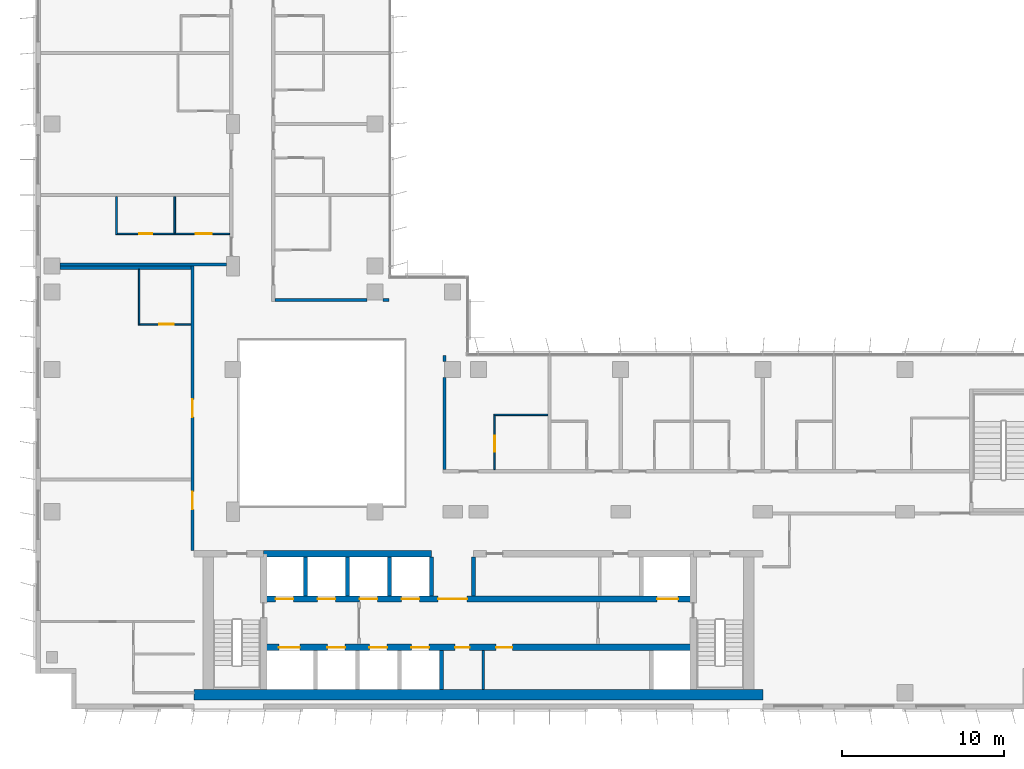
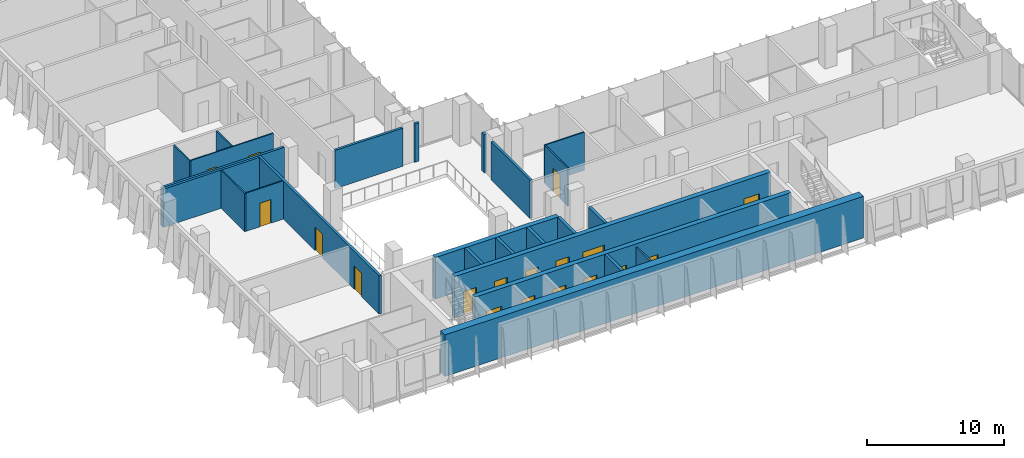
# One storey, part 13 of 21: 25 walls, 18 doors, 18 openings.
"""IFC4 building model written with IfcOpenShell, lengths in metres."""

from ifc_helpers import new_model, si_unit, direction, frame, frame_2d, origin, place, context, subcontext, project, spatial, rectangle, extrude, material, layer, layer_set, type_object, element, fill, save


model = new_model("IFC4")

# Units and contexts
model_context = context("Model", 3, precision=1e-05, world=origin(), true_north=direction((0.0, 1.0)))
body_context = subcontext(model_context, "Body", "Model", "MODEL_VIEW")
ifc_project = project(units=[si_unit("LENGTHUNIT", "METRE"), si_unit("AREAUNIT", "SQUARE_METRE"), si_unit("VOLUMEUNIT", "CUBIC_METRE"), si_unit("PLANEANGLEUNIT", "RADIAN"), si_unit("MASSUNIT", "GRAM", prefix="KILO")], contexts=[model_context])

# Site, building, storey
site_placement = place(None, origin())
site = spatial("IfcSite", under=ifc_project, at=site_placement, CompositionType="ELEMENT")
building_placement = place(site_placement, origin())
building = spatial("IfcBuilding", under=site, at=building_placement, Name="Kemantara Hotel Tower", CompositionType="ELEMENT")
storey_placement = place(building_placement, frame((0.0, 0.0, 182.699951171875)))
storey = spatial("IfcBuildingStorey", under=building, at=storey_placement, Name="L45", CompositionType="ELEMENT", Elevation=182.699951171875)

# Walls
ifc_material_1 = material(Name="Concrete fc 60 MPa", Category="concrete")
ifc_layer_1 = layer(ifc_material_1, 0.25)
ifc_layer_set_1 = layer_set([ifc_layer_1], Name="Concrete fc 60 MPa")
wall_type_1 = type_object("IfcWallType", Name="CORE WALL 250 FC60", PredefinedType="SHEAR", material=ifc_layer_set_1)
wall_1_placement = place(storey_placement, frame((25.10009765625, 1.199951171875, 0.0), z_axis=(0.0, 0.0, 1.0), x_axis=(0.0, 1.0, 0.0)))
element("IfcWall", 1, at=wall_1_placement, inside=storey, type_object=wall_type_1, Name="CORE WALL CW-DS25.1", PredefinedType="SHEAR", context=body_context, shape_type="SweptSolid", body=[
    extrude(rectangle(XDim=2.400146484375, YDim=0.25, at=frame_2d((1.2001953125, 0.0))), origin(), (0.0, 0.0, 1.0), 3.699951171875),
])
for number, where, z_axis, x_axis, name in (
    (2, (16.699951171875, 7.0, 0.0), (0.0, 0.0, 1.0), (0.0, 1.0, 0.0), "CORE WALL CW-DN16.7"),
    (3, (19.300048828125, 7.0, 0.0), (0.0, 0.0, 1.0), (0.0, 1.0, 0.0), "CORE WALL CW-DN19.3"),
    (4, (21.89990234375, 7.0, 0.0), (0.0, 0.0, 1.0), (0.0, 1.0, 0.0), "CORE WALL CW-DN21.9"),
    (5, (24.5, 7.0, 0.0), (0.0, 0.0, 1.0), (0.0, 1.0, 0.0), "CORE WALL CW-DN24.5"),
    (6, (27.10009765625, 7.0, 0.0), (0.0, 0.0, 1.0), (0.0, 1.0, 0.0), "CORE WALL CW-DN27.1"),
):
    element("IfcWall", number, at=place(storey_placement, frame(where, z_axis=z_axis, x_axis=x_axis)), inside=storey, type_object=wall_type_1, Name=name, PredefinedType="SHEAR", context=body_context, shape_type="SweptSolid", body=[
        extrude(rectangle(XDim=2.39990234375, YDim=0.25, at=frame_2d((1.199951171875, 0.0))), origin(), (0.0, 0.0, 1.0), 3.699951171875),
    ])
ifc_layer_2 = layer(ifc_material_1, 0.39990234375)
ifc_layer_set_2 = layer_set([ifc_layer_2], Name="Concrete fc 60 MPa")
wall_type_2 = type_object("IfcWallType", Name="CORE WALL 400 FC60", PredefinedType="SHEAR", material=ifc_layer_set_2)
wall_2_placement = place(storey_placement, frame((14.10009765625, 9.60009765625, 0.0), z_axis=(0.0, 0.0, 1.0), x_axis=(1.0, 0.0, 0.0)))
element("IfcWall", 7, at=wall_2_placement, inside=storey, type_object=wall_type_2, Name="CORE WALL CW-NN1", PredefinedType="SHEAR", context=body_context, shape_type="SweptSolid", body=[
    extrude(rectangle(XDim=10.39990234375, YDim=0.39990234375, at=frame_2d((5.199951171875, 0.0))), origin(), (0.0, 0.0, 1.0), 3.699951171875),
])

# Wall, openings, doors
wall_3_placement = place(storey_placement, frame((14.10009765625, 3.800048828125, 0.0), z_axis=(0.0, 0.0, 1.0), x_axis=(1.0, 0.0, 0.0)))
wall_3 = element("IfcWall", 8, at=wall_3_placement, inside=storey, type_object=wall_type_2, Name="CORE WALL CW-L1", PredefinedType="SHEAR", context=body_context, shape_type="SweptSolid", body=[
    extrude(rectangle(XDim=26.599853515625, YDim=0.39990234375, at=frame_2d((13.2998046875, 0.0))), origin(), (0.0, 0.0, 1.0), 3.699951171875),
])
opening_1_placement = place(wall_3_placement, frame((0.949951171875, 0.0, 0.0)))
opening_1 = element("IfcOpeningElement", 9, at=opening_1_placement, cuts=wall_3, Name="Opening C27-LD-FF1", PredefinedType="OPENING", context=body_context, shape_type="SweptSolid", body=[
    extrude(rectangle(XDim=1.300048828125, YDim=2.10009765625, at=frame_2d((0.64990234375, 1.050048828125))), frame((0.0, 0.2099609375, 0.0), z_axis=(0.0, -1.0, 0.0), x_axis=(1.0, 0.0, 0.0)), (0.0, 0.0, 1.0), 0.419921875),
])
opening_2_placement = place(wall_3_placement, frame((3.949951171875, 0.0, 0.0)))
opening_2 = element("IfcOpeningElement", 10, at=opening_2_placement, cuts=wall_3, Name="Opening C27-LD-SV1", PredefinedType="OPENING", context=body_context, shape_type="SweptSolid", body=[
    extrude(rectangle(XDim=1.10009765625, YDim=2.10009765625, at=frame_2d((0.550048828125, 1.050048828125))), frame((0.0, 0.2099609375, 0.0), z_axis=(0.0, -1.0, 0.0), x_axis=(1.0, 0.0, 0.0)), (0.0, 0.0, 1.0), 0.419921875),
])
opening_3_placement = place(wall_3_placement, frame((6.550048828125, 0.0, 0.0)))
opening_3 = element("IfcOpeningElement", 11, at=opening_3_placement, cuts=wall_3, Name="Opening C27-LD-SV2", PredefinedType="OPENING", context=body_context, shape_type="SweptSolid", body=[
    extrude(rectangle(XDim=1.10009765625, YDim=2.10009765625, at=frame_2d((0.550048828125, 1.050048828125))), frame((0.0, 0.2099609375, 0.0), z_axis=(0.0, -1.0, 0.0), x_axis=(1.0, 0.0, 0.0)), (0.0, 0.0, 1.0), 0.419921875),
])
opening_4_placement = place(wall_3_placement, frame((9.14990234375, 0.0, 0.0)))
opening_4 = element("IfcOpeningElement", 12, at=opening_4_placement, cuts=wall_3, Name="Opening C27-LD-SV3", PredefinedType="OPENING", context=body_context, shape_type="SweptSolid", body=[
    extrude(rectangle(XDim=1.10009765625, YDim=2.10009765625, at=frame_2d((0.550048828125, 1.050048828125))), frame((0.0, 0.2099609375, 0.0), z_axis=(0.0, -1.0, 0.0), x_axis=(1.0, 0.0, 0.0)), (0.0, 0.0, 1.0), 0.419921875),
])
opening_5_placement = place(wall_3_placement, frame((11.85009765625, 0.0, 0.0)))
opening_5 = element("IfcOpeningElement", 13, at=opening_5_placement, cuts=wall_3, Name="Opening C27-R-SM1", PredefinedType="OPENING", context=body_context, shape_type="SweptSolid", body=[
    extrude(rectangle(XDim=0.89990234375, YDim=2.10009765625, at=frame_2d((0.449951171875, 1.050048828125))), frame((0.0, 0.2099609375, 0.0), z_axis=(0.0, -1.0, 0.0), x_axis=(1.0, 0.0, 0.0)), (0.0, 0.0, 1.0), 0.419921875),
])
opening_6_placement = place(wall_3_placement, frame((14.39990234375, 0.0, 0.0)))
opening_6 = element("IfcOpeningElement", 14, at=opening_6_placement, cuts=wall_3, Name="Opening C27-R-SM2", PredefinedType="OPENING", context=body_context, shape_type="SweptSolid", body=[
    extrude(rectangle(XDim=1.0, YDim=2.10009765625, at=frame_2d((0.5, 1.050048828125))), frame((0.0, 0.2099609375, 0.0), z_axis=(0.0, -1.0, 0.0), x_axis=(1.0, 0.0, 0.0)), (0.0, 0.0, 1.0), 0.419921875),
])
ifc_material_2 = material(Name="Steel fire door", Category="steel")
door_type_1 = type_object("IfcDoorType", Name="Fire door FD30S 1000 x 2100", OperationType="NOTDEFINED", PredefinedType="DOOR", material=ifc_material_2)
door_1_placement = place(opening_6_placement, frame((1.0, 0.0, 0.0), z_axis=(0.0, 0.0, 1.0), x_axis=(-1.0, 0.0, 0.0)))
door_1 = element("IfcDoor", 15, at=door_1_placement, inside=storey, type_object=door_type_1, Name="Guest Pantry door", OperationType="SINGLE_SWING_LEFT", OverallHeight=2.10009765625, OverallWidth=1.0, PredefinedType="DOOR", context=body_context, shape_type="SweptSolid", body=[
    extrude(rectangle(XDim=1.0, YDim=2.10009765625, at=frame_2d((0.5, 1.050048828125))), frame((0.0, 0.02490234375, 0.0), z_axis=(0.0, -1.0, 0.0), x_axis=(1.0, 0.0, 0.0)), (0.0, 0.0, 1.0), 0.050048828125),
])
fill(opening_6, door_1)
door_type_2 = type_object("IfcDoorType", Name="Fire door FD60 900 x 2100", OperationType="NOTDEFINED", PredefinedType="DOOR", material=ifc_material_2)
door_2_placement = place(opening_5_placement, frame((0.89990234375, 0.0, 0.0), z_axis=(0.0, 0.0, 1.0), x_axis=(-1.0, 0.0, 0.0)))
door_2 = element("IfcDoor", 16, at=door_2_placement, inside=storey, type_object=door_type_2, Name="Electrical Riser Room door", OperationType="SINGLE_SWING_RIGHT", OverallHeight=2.10009765625, OverallWidth=0.89990234375, PredefinedType="DOOR", context=body_context, shape_type="SweptSolid", body=[
    extrude(rectangle(XDim=0.89990234375, YDim=2.10009765625, at=frame_2d((0.449951171875, 1.050048828125))), frame((0.0, 0.02490234375, 0.0), z_axis=(0.0, -1.0, 0.0), x_axis=(1.0, 0.0, 0.0)), (0.0, 0.0, 1.0), 0.050048828125),
])
fill(opening_5, door_2)
ifc_material_3 = material(Name="Stainless steel lift door", Category="steel")
door_type_3 = type_object("IfcDoorType", Name="Lift landing door 1100 x 2100 FD60", OperationType="DOUBLE_DOOR_SLIDING", PredefinedType="DOOR", material=ifc_material_3)
door_3_placement = place(opening_2_placement, origin())
door_3 = element("IfcDoor", 17, at=door_3_placement, inside=storey, type_object=door_type_3, Name="Lift SV1 landing door", OperationType="DOUBLE_DOOR_SLIDING", OverallHeight=2.10009765625, OverallWidth=1.10009765625, PredefinedType="DOOR", context=body_context, shape_type="SweptSolid", body=[
    extrude(rectangle(XDim=1.10009765625, YDim=2.10009765625, at=frame_2d((0.550048828125, 1.050048828125))), frame((0.0, 0.02490234375, 0.0), z_axis=(0.0, -1.0, 0.0), x_axis=(1.0, 0.0, 0.0)), (0.0, 0.0, 1.0), 0.050048828125),
])
fill(opening_2, door_3)
door_4_placement = place(opening_3_placement, origin())
door_4 = element("IfcDoor", 18, at=door_4_placement, inside=storey, type_object=door_type_3, Name="Lift SV2 landing door", OperationType="DOUBLE_DOOR_SLIDING", OverallHeight=2.10009765625, OverallWidth=1.10009765625, PredefinedType="DOOR", context=body_context, shape_type="SweptSolid", body=[
    extrude(rectangle(XDim=1.10009765625, YDim=2.10009765625, at=frame_2d((0.550048828125, 1.050048828125))), frame((0.0, 0.02490234375, 0.0), z_axis=(0.0, -1.0, 0.0), x_axis=(1.0, 0.0, 0.0)), (0.0, 0.0, 1.0), 0.050048828125),
])
fill(opening_3, door_4)
door_5_placement = place(opening_4_placement, origin())
door_5 = element("IfcDoor", 19, at=door_5_placement, inside=storey, type_object=door_type_3, Name="Lift SV3 landing door", OperationType="DOUBLE_DOOR_SLIDING", OverallHeight=2.10009765625, OverallWidth=1.10009765625, PredefinedType="DOOR", context=body_context, shape_type="SweptSolid", body=[
    extrude(rectangle(XDim=1.10009765625, YDim=2.10009765625, at=frame_2d((0.550048828125, 1.050048828125))), frame((0.0, 0.02490234375, 0.0), z_axis=(0.0, -1.0, 0.0), x_axis=(1.0, 0.0, 0.0)), (0.0, 0.0, 1.0), 0.050048828125),
])
fill(opening_4, door_5)
door_type_4 = type_object("IfcDoorType", Name="Lift landing door 1300 x 2100 FD90", OperationType="DOUBLE_DOOR_SLIDING", PredefinedType="DOOR", material=ifc_material_3)
door_6_placement = place(opening_1_placement, origin())
door_6 = element("IfcDoor", 20, at=door_6_placement, inside=storey, type_object=door_type_4, Name="Lift FF1 landing door", OperationType="DOUBLE_DOOR_SLIDING", OverallHeight=2.10009765625, OverallWidth=1.300048828125, PredefinedType="DOOR", context=body_context, shape_type="SweptSolid", body=[
    extrude(rectangle(XDim=1.300048828125, YDim=2.10009765625, at=frame_2d((0.64990234375, 1.050048828125))), frame((0.0, 0.02490234375, 0.0), z_axis=(0.0, -1.0, 0.0), x_axis=(1.0, 0.0, 0.0)), (0.0, 0.0, 1.0), 0.050048828125),
])
fill(opening_1, door_6)

wall_4_placement = place(storey_placement, frame((14.10009765625, 6.800048828125, 0.0), z_axis=(0.0, 0.0, 1.0), x_axis=(1.0, 0.0, 0.0)))
wall_4 = element("IfcWall", 21, at=wall_4_placement, inside=storey, type_object=wall_type_2, Name="CORE WALL CW-L2", PredefinedType="SHEAR", context=body_context, shape_type="SweptSolid", body=[
    extrude(rectangle(XDim=26.599853515625, YDim=0.39990234375, at=frame_2d((13.2998046875, 0.0))), origin(), (0.0, 0.0, 1.0), 3.699951171875),
])
opening_7_placement = place(wall_4_placement, frame((10.800048828125, 0.0, 0.0)))
opening_7 = element("IfcOpeningElement", 22, at=opening_7_placement, cuts=wall_4, Name="Opening C27-VL", PredefinedType="OPENING", context=body_context, shape_type="SweptSolid", body=[
    extrude(rectangle(XDim=1.800048828125, YDim=2.10009765625, at=frame_2d((0.89990234375, 1.050048828125))), frame((0.0, 0.2099609375, 0.0), z_axis=(0.0, -1.0, 0.0), x_axis=(1.0, 0.0, 0.0)), (0.0, 0.0, 1.0), 0.419921875),
])
opening_8_placement = place(wall_4_placement, frame((0.75, 0.0, 0.0)))
opening_8 = element("IfcOpeningElement", 23, at=opening_8_placement, cuts=wall_4, Name="Opening C27-LD-MR1", PredefinedType="OPENING", context=body_context, shape_type="SweptSolid", body=[
    extrude(rectangle(XDim=1.10009765625, YDim=2.10009765625, at=frame_2d((0.550048828125, 1.050048828125))), frame((0.0, 0.2099609375, 0.0), z_axis=(0.0, -1.0, 0.0), x_axis=(1.0, 0.0, 0.0)), (0.0, 0.0, 1.0), 0.419921875),
])
opening_9_placement = place(wall_4_placement, frame((3.35009765625, 0.0, 0.0)))
opening_9 = element("IfcOpeningElement", 24, at=opening_9_placement, cuts=wall_4, Name="Opening C27-LD-MR2", PredefinedType="OPENING", context=body_context, shape_type="SweptSolid", body=[
    extrude(rectangle(XDim=1.10009765625, YDim=2.10009765625, at=frame_2d((0.550048828125, 1.050048828125))), frame((0.0, 0.2099609375, 0.0), z_axis=(0.0, -1.0, 0.0), x_axis=(1.0, 0.0, 0.0)), (0.0, 0.0, 1.0), 0.419921875),
])
opening_10_placement = place(wall_4_placement, frame((5.949951171875, 0.0, 0.0)))
opening_10 = element("IfcOpeningElement", 25, at=opening_10_placement, cuts=wall_4, Name="Opening C27-LD-MR3", PredefinedType="OPENING", context=body_context, shape_type="SweptSolid", body=[
    extrude(rectangle(XDim=1.10009765625, YDim=2.10009765625, at=frame_2d((0.550048828125, 1.050048828125))), frame((0.0, 0.2099609375, 0.0), z_axis=(0.0, -1.0, 0.0), x_axis=(1.0, 0.0, 0.0)), (0.0, 0.0, 1.0), 0.419921875),
])
opening_11_placement = place(wall_4_placement, frame((8.550048828125, 0.0, 0.0)))
opening_11 = element("IfcOpeningElement", 26, at=opening_11_placement, cuts=wall_4, Name="Opening C27-LD-MR4", PredefinedType="OPENING", context=body_context, shape_type="SweptSolid", body=[
    extrude(rectangle(XDim=1.10009765625, YDim=2.10009765625, at=frame_2d((0.550048828125, 1.050048828125))), frame((0.0, 0.2099609375, 0.0), z_axis=(0.0, -1.0, 0.0), x_axis=(1.0, 0.0, 0.0)), (0.0, 0.0, 1.0), 0.419921875),
])
opening_12_placement = place(wall_4_placement, frame((24.35009765625, 0.0, 0.0)))
opening_12 = element("IfcOpeningElement", 27, at=opening_12_placement, cuts=wall_4, Name="Opening C27-LD-FF2", PredefinedType="OPENING", context=body_context, shape_type="SweptSolid", body=[
    extrude(rectangle(XDim=1.300048828125, YDim=2.10009765625, at=frame_2d((0.64990234375, 1.050048828125))), frame((0.0, 0.2099609375, 0.0), z_axis=(0.0, -1.0, 0.0), x_axis=(1.0, 0.0, 0.0)), (0.0, 0.0, 1.0), 0.419921875),
])
door_type_5 = type_object("IfcDoorType", Name="Fire door pair FD60 1800 x 2100", OperationType="DOUBLE_DOOR_SINGLE_SWING", PredefinedType="DOOR", material=ifc_material_2)
door_7_placement = place(opening_7_placement, frame((1.800048828125, 0.0, 0.0), z_axis=(0.0, 0.0, 1.0), x_axis=(-1.0, 0.0, 0.0)))
door_7 = element("IfcDoor", 28, at=door_7_placement, inside=storey, type_object=door_type_5, Name="Lift lobby entry door", OperationType="DOUBLE_DOOR_SINGLE_SWING", OverallHeight=2.10009765625, OverallWidth=1.800048828125, PredefinedType="DOOR", context=body_context, shape_type="SweptSolid", body=[
    extrude(rectangle(XDim=1.800048828125, YDim=2.10009765625, at=frame_2d((0.89990234375, 1.050048828125))), frame((0.0, 0.02490234375, 0.0), z_axis=(0.0, -1.0, 0.0), x_axis=(1.0, 0.0, 0.0)), (0.0, 0.0, 1.0), 0.050048828125),
])
fill(opening_7, door_7)
door_8_placement = place(opening_8_placement, origin())
door_8 = element("IfcDoor", 29, at=door_8_placement, inside=storey, type_object=door_type_3, Name="Lift MR1 landing door", OperationType="DOUBLE_DOOR_SLIDING", OverallHeight=2.10009765625, OverallWidth=1.10009765625, PredefinedType="DOOR", context=body_context, shape_type="SweptSolid", body=[
    extrude(rectangle(XDim=1.10009765625, YDim=2.10009765625, at=frame_2d((0.550048828125, 1.050048828125))), frame((0.0, 0.02490234375, 0.0), z_axis=(0.0, -1.0, 0.0), x_axis=(1.0, 0.0, 0.0)), (0.0, 0.0, 1.0), 0.050048828125),
])
fill(opening_8, door_8)
door_9_placement = place(opening_9_placement, origin())
door_9 = element("IfcDoor", 30, at=door_9_placement, inside=storey, type_object=door_type_3, Name="Lift MR2 landing door", OperationType="DOUBLE_DOOR_SLIDING", OverallHeight=2.10009765625, OverallWidth=1.10009765625, PredefinedType="DOOR", context=body_context, shape_type="SweptSolid", body=[
    extrude(rectangle(XDim=1.10009765625, YDim=2.10009765625, at=frame_2d((0.550048828125, 1.050048828125))), frame((0.0, 0.02490234375, 0.0), z_axis=(0.0, -1.0, 0.0), x_axis=(1.0, 0.0, 0.0)), (0.0, 0.0, 1.0), 0.050048828125),
])
fill(opening_9, door_9)
door_10_placement = place(opening_10_placement, origin())
door_10 = element("IfcDoor", 31, at=door_10_placement, inside=storey, type_object=door_type_3, Name="Lift MR3 landing door", OperationType="DOUBLE_DOOR_SLIDING", OverallHeight=2.10009765625, OverallWidth=1.10009765625, PredefinedType="DOOR", context=body_context, shape_type="SweptSolid", body=[
    extrude(rectangle(XDim=1.10009765625, YDim=2.10009765625, at=frame_2d((0.550048828125, 1.050048828125))), frame((0.0, 0.02490234375, 0.0), z_axis=(0.0, -1.0, 0.0), x_axis=(1.0, 0.0, 0.0)), (0.0, 0.0, 1.0), 0.050048828125),
])
fill(opening_10, door_10)
door_11_placement = place(opening_11_placement, origin())
door_11 = element("IfcDoor", 32, at=door_11_placement, inside=storey, type_object=door_type_3, Name="Lift MR4 landing door", OperationType="DOUBLE_DOOR_SLIDING", OverallHeight=2.10009765625, OverallWidth=1.10009765625, PredefinedType="DOOR", context=body_context, shape_type="SweptSolid", body=[
    extrude(rectangle(XDim=1.10009765625, YDim=2.10009765625, at=frame_2d((0.550048828125, 1.050048828125))), frame((0.0, 0.02490234375, 0.0), z_axis=(0.0, -1.0, 0.0), x_axis=(1.0, 0.0, 0.0)), (0.0, 0.0, 1.0), 0.050048828125),
])
fill(opening_11, door_11)
door_12_placement = place(opening_12_placement, origin())
door_12 = element("IfcDoor", 33, at=door_12_placement, inside=storey, type_object=door_type_4, Name="Lift FF2 landing door", OperationType="DOUBLE_DOOR_SLIDING", OverallHeight=2.10009765625, OverallWidth=1.300048828125, PredefinedType="DOOR", context=body_context, shape_type="SweptSolid", body=[
    extrude(rectangle(XDim=1.300048828125, YDim=2.10009765625, at=frame_2d((0.64990234375, 1.050048828125))), frame((0.0, 0.02490234375, 0.0), z_axis=(0.0, -1.0, 0.0), x_axis=(1.0, 0.0, 0.0)), (0.0, 0.0, 1.0), 0.050048828125),
])
fill(opening_12, door_12)

# Wall
ifc_layer_3 = layer(ifc_material_1, 0.64990234375)
ifc_layer_set_3 = layer_set([ifc_layer_3], Name="Concrete fc 60 MPa")
wall_type_3 = type_object("IfcWallType", Name="CORE WALL 650 FC60", PredefinedType="SHEAR", material=ifc_layer_set_3)
wall_5_placement = place(storey_placement, frame((9.800048828125, 0.875, 0.0), z_axis=(0.0, 0.0, 1.0), x_axis=(1.0, 0.0, 0.0)))
element("IfcWall", 34, at=wall_5_placement, inside=storey, type_object=wall_type_3, Name="CORE WALL CW-S", PredefinedType="SHEAR", context=body_context, shape_type="SweptSolid", body=[
    extrude(rectangle(XDim=35.199951171875, YDim=0.64990234375, at=frame_2d((17.60009765625, 0.0))), origin(), (0.0, 0.0, 1.0), 3.699951171875),
])

# Wall, openings, doors
ifc_material_4 = material(Name="Gypsum board partition, steel studs and mineral wool, 200 mm", Category="steel")
ifc_layer_4 = layer(ifc_material_4, 0.199951171875)
ifc_layer_set_4 = layer_set([ifc_layer_4], Name="Gypsum board partition, steel studs and mineral wool, 200 mm")
wall_type_4 = type_object("IfcWallType", Name="CORRIDOR WALL 200", PredefinedType="PARTITIONING", material=ifc_layer_set_4)
wall_6_placement = place(storey_placement, frame((9.699951171875, 9.800048828125, 0.0), z_axis=(0.0, 0.0, 1.0), x_axis=(0.0, 1.0, 0.0)))
wall_6 = element("IfcWall", 35, at=wall_6_placement, inside=storey, type_object=wall_type_4, Name="CORRIDOR WALL 200 012", PredefinedType="PARTITIONING", context=body_context, shape_type="SweptSolid", body=[
    extrude(rectangle(XDim=17.599853515625, YDim=0.199951171875, at=frame_2d((8.7998046875, 0.0))), origin(), (0.0, 0.0, 1.0), 3.400146484375),
])
opening_13_placement = place(wall_6_placement, frame((2.550048828125, 0.0, 0.0)))
opening_13 = element("IfcOpeningElement", 36, at=opening_13_placement, cuts=wall_6, Name="Opening F21-015", PredefinedType="OPENING", context=body_context, shape_type="SweptSolid", body=[
    extrude(rectangle(XDim=1.10009765625, YDim=2.10009765625, at=frame_2d((0.550048828125, 1.050048828125))), frame((0.0, 0.10986328125, 0.0), z_axis=(0.0, -1.0, 0.0), x_axis=(1.0, 0.0, 0.0)), (0.0, 0.0, 1.0), 0.219970703125),
])
opening_14_placement = place(wall_6_placement, frame((8.25, 0.0, 0.0)))
opening_14 = element("IfcOpeningElement", 37, at=opening_14_placement, cuts=wall_6, Name="Opening F21-019", PredefinedType="OPENING", context=body_context, shape_type="SweptSolid", body=[
    extrude(rectangle(XDim=1.10009765625, YDim=2.10009765625, at=frame_2d((0.550048828125, 1.050048828125))), frame((0.0, 0.10986328125, 0.0), z_axis=(0.0, -1.0, 0.0), x_axis=(1.0, 0.0, 0.0)), (0.0, 0.0, 1.0), 0.219970703125),
])
ifc_material_5 = material(Name="Hardwood veneer door leaf with steel frame", Category="steel")
door_type_6 = type_object("IfcDoorType", Name="SUITE ENTRANCE DOOR 1100 X 2100 FD30S", OperationType="NOTDEFINED", PredefinedType="DOOR", material=ifc_material_5)
door_13_placement = place(opening_13_placement, origin())
door_13 = element("IfcDoor", 38, at=door_13_placement, inside=storey, type_object=door_type_6, Name="SUITE ENTRANCE DOOR F21-015", OperationType="SINGLE_SWING_RIGHT", OverallHeight=2.10009765625, OverallWidth=1.10009765625, PredefinedType="DOOR", context=body_context, shape_type="SweptSolid", body=[
    extrude(rectangle(XDim=1.10009765625, YDim=2.10009765625, at=frame_2d((0.550048828125, 1.050048828125))), frame((0.0, 0.02490234375, 0.0), z_axis=(0.0, -1.0, 0.0), x_axis=(1.0, 0.0, 0.0)), (0.0, 0.0, 1.0), 0.050048828125),
])
fill(opening_13, door_13)
door_14_placement = place(opening_14_placement, origin())
door_14 = element("IfcDoor", 39, at=door_14_placement, inside=storey, type_object=door_type_6, Name="SUITE ENTRANCE DOOR F21-019", OperationType="SINGLE_SWING_LEFT", OverallHeight=2.10009765625, OverallWidth=1.10009765625, PredefinedType="DOOR", context=body_context, shape_type="SweptSolid", body=[
    extrude(rectangle(XDim=1.10009765625, YDim=2.10009765625, at=frame_2d((0.550048828125, 1.050048828125))), frame((0.0, 0.02490234375, 0.0), z_axis=(0.0, -1.0, 0.0), x_axis=(1.0, 0.0, 0.0)), (0.0, 0.0, 1.0), 0.050048828125),
])
fill(opening_14, door_14)

# Walls
ifc_layer_5 = layer(ifc_material_4, 0.199951171875)
ifc_layer_set_5 = layer_set([ifc_layer_5], Name="Gypsum board partition, steel studs and mineral wool, 200 mm")
wall_type_5 = type_object("IfcWallType", Name="GUEST ROOM PARTY WALL 200", PredefinedType="PARTITIONING", material=ifc_layer_set_5)
wall_7_placement = place(storey_placement, frame((25.300048828125, 14.800048828125, 0.0), z_axis=(0.0, 0.0, 1.0), x_axis=(0.0, 1.0, 0.0)))
element("IfcWall", 40, at=wall_7_placement, inside=storey, type_object=wall_type_5, Name="GUEST ROOM PARTY WALL 200 005", PredefinedType="PARTITIONING", context=body_context, shape_type="SweptSolid", body=[
    extrude(rectangle(XDim=5.699951171875, YDim=0.199951171875, at=frame_2d((2.85009765625, 0.0))), origin(), (0.0, 0.0, 1.0), 3.400146484375),
])
wall_8_placement = place(storey_placement, frame((25.300048828125, 21.5, 0.0), z_axis=(0.0, 0.0, 1.0), x_axis=(0.0, 1.0, 0.0)))
element("IfcWall", 41, at=wall_8_placement, inside=storey, type_object=wall_type_5, Name="GUEST ROOM PARTY WALL 200 006", PredefinedType="PARTITIONING", context=body_context, shape_type="SweptSolid", body=[
    extrude(rectangle(XDim=0.3701171875, YDim=0.199951171875, at=frame_2d((0.18505859375, 0.0))), origin(), (0.0, 0.0, 1.0), 3.400146484375),
])
wall_9_placement = place(storey_placement, frame((1.5, 27.300048828125, 0.0), z_axis=(0.0, 0.0, 1.0), x_axis=(1.0, 0.0, 0.0)))
element("IfcWall", 42, at=wall_9_placement, inside=storey, type_object=wall_type_5, Name="GUEST ROOM PARTY WALL 200 014", PredefinedType="PARTITIONING", context=body_context, shape_type="SweptSolid", body=[
    extrude(rectangle(XDim=8.10009765625, YDim=0.199951171875, at=frame_2d((4.050048828125, 0.0))), origin(), (0.0, 0.0, 1.0), 3.400146484375),
])
wall_10_placement = place(storey_placement, frame((1.5, 27.5, 0.0), z_axis=(0.0, 0.0, 1.0), x_axis=(1.0, 0.0, 0.0)))
element("IfcWall", 43, at=wall_10_placement, inside=storey, type_object=wall_type_5, Name="GUEST ROOM PARTY WALL 200 019", PredefinedType="PARTITIONING", context=body_context, shape_type="SweptSolid", body=[
    extrude(rectangle(XDim=10.2998046875, YDim=0.199951171875, at=frame_2d((5.14990234375, 0.0))), origin(), (0.0, 0.0, 1.0), 3.400146484375),
])
wall_11_placement = place(storey_placement, frame((14.800048828125, 25.300048828125, 0.0), z_axis=(0.0, 0.0, 1.0), x_axis=(1.0, 0.0, 0.0)))
element("IfcWall", 44, at=wall_11_placement, inside=storey, type_object=wall_type_5, Name="GUEST ROOM PARTY WALL 200 031", PredefinedType="PARTITIONING", context=body_context, shape_type="SweptSolid", body=[
    extrude(rectangle(XDim=5.699951171875, YDim=0.199951171875, at=frame_2d((2.85009765625, 0.0))), origin(), (0.0, 0.0, 1.0), 3.400146484375),
])
wall_12_placement = place(storey_placement, frame((21.5, 25.300048828125, 0.0), z_axis=(0.0, 0.0, 1.0), x_axis=(1.0, 0.0, 0.0)))
element("IfcWall", 45, at=wall_12_placement, inside=storey, type_object=wall_type_5, Name="GUEST ROOM PARTY WALL 200 032", PredefinedType="PARTITIONING", context=body_context, shape_type="SweptSolid", body=[
    extrude(rectangle(XDim=0.3701171875, YDim=0.199951171875, at=frame_2d((0.18505859375, 0.0))), origin(), (0.0, 0.0, 1.0), 3.400146484375),
])
ifc_material_6 = material(Name="Gypsum board partition")
ifc_layer_6 = layer(ifc_material_6, 0.14990234375)
ifc_layer_set_6 = layer_set([ifc_layer_6], Name="Gypsum board partition")
wall_type_6 = type_object("IfcWallType", Name="Gypsum board partition 150 mm", PredefinedType="PARTITIONING", material=ifc_layer_set_6)
wall_13_placement = place(storey_placement, frame((27.699951171875, 1.199951171875, 0.0), z_axis=(0.0, 0.0, 1.0), x_axis=(0.0, 1.0, 0.0)))
element("IfcWall", 46, at=wall_13_placement, inside=storey, type_object=wall_type_6, Name="Core room partition", PredefinedType="PARTITIONING", context=body_context, shape_type="SweptSolid", body=[
    extrude(rectangle(XDim=2.400146484375, YDim=0.14990234375, at=frame_2d((1.2001953125, 0.0))), origin(), (0.0, 0.0, 1.0), 3.400146484375),
])
ifc_material_7 = material(Name="Gypsum board partition on steel studs, 100 mm", Category="steel")
ifc_layer_7 = layer(ifc_material_7, 0.10009765625)
ifc_layer_set_7 = layer_set([ifc_layer_7], Name="Gypsum board partition on steel studs, 100 mm")
wall_type_7 = type_object("IfcWallType", Name="ROOM PARTITION 100", PredefinedType="PARTITIONING", material=ifc_layer_set_7)
wall_14_placement = place(storey_placement, frame((28.35009765625, 18.199951171875, 0.0), z_axis=(0.0, 0.0, 1.0), x_axis=(1.0, 0.0, 0.0)))
element("IfcWall", 47, at=wall_14_placement, inside=storey, type_object=wall_type_7, Name="ROOM PARTITION 100 036", PredefinedType="PARTITIONING", context=body_context, shape_type="SweptSolid", body=[
    extrude(rectangle(XDim=3.349853515625, YDim=0.10009765625, at=frame_2d((1.6748046875, 0.0))), origin(), (0.0, 0.0, 1.0), 3.400146484375),
])

# Wall, opening, door
wall_15_placement = place(storey_placement, frame((28.39990234375, 18.14990234375, 0.0), z_axis=(0.0, 0.0, 1.0), x_axis=(0.0, -1.0, 0.0)))
wall_15 = element("IfcWall", 48, at=wall_15_placement, inside=storey, type_object=wall_type_7, Name="ROOM PARTITION 100 037", PredefinedType="PARTITIONING", context=body_context, shape_type="SweptSolid", body=[
    extrude(rectangle(XDim=3.349853515625, YDim=0.10009765625, at=frame_2d((1.6748046875, 0.0))), origin(), (0.0, 0.0, 1.0), 3.400146484375),
])
opening_15_placement = place(wall_15_placement, frame((1.25, 0.0, 0.0)))
opening_15 = element("IfcOpeningElement", 49, at=opening_15_placement, cuts=wall_15, Name="Opening F21-004", PredefinedType="OPENING", context=body_context, shape_type="SweptSolid", body=[
    extrude(rectangle(XDim=1.0, YDim=2.10009765625, at=frame_2d((0.5, 1.050048828125))), frame((0.0, 0.06005859375, 0.0), z_axis=(0.0, -1.0, 0.0), x_axis=(1.0, 0.0, 0.0)), (0.0, 0.0, 1.0), 0.1201171875),
])
door_type_7 = type_object("IfcDoorType", Name="BATHROOM DOOR 1000 X 2100", OperationType="NOTDEFINED", PredefinedType="DOOR", material=ifc_material_5)
door_15_placement = place(opening_15_placement, origin())
door_15 = element("IfcDoor", 50, at=door_15_placement, inside=storey, type_object=door_type_7, Name="BATHROOM DOOR F21-004", OperationType="SINGLE_SWING_RIGHT", OverallHeight=2.10009765625, OverallWidth=1.0, PredefinedType="DOOR", context=body_context, shape_type="SweptSolid", body=[
    extrude(rectangle(XDim=1.0, YDim=2.10009765625, at=frame_2d((0.5, 1.050048828125))), frame((0.0, 0.02490234375, 0.0), z_axis=(0.0, -1.0, 0.0), x_axis=(1.0, 0.0, 0.0)), (0.0, 0.0, 1.0), 0.050048828125),
])
fill(opening_15, door_15)

# Wall
wall_16_placement = place(storey_placement, frame((6.39990234375, 23.75, 0.0), z_axis=(0.0, 0.0, 1.0), x_axis=(0.0, 1.0, 0.0)))
element("IfcWall", 51, at=wall_16_placement, inside=storey, type_object=wall_type_7, Name="ROOM PARTITION 100 052", PredefinedType="PARTITIONING", context=body_context, shape_type="SweptSolid", body=[
    extrude(rectangle(XDim=3.449951171875, YDim=0.10009765625, at=frame_2d((1.72509765625, 0.0))), origin(), (0.0, 0.0, 1.0), 3.400146484375),
])

# Wall, opening, door
wall_17_placement = place(storey_placement, frame((6.449951171875, 23.800048828125, 0.0), z_axis=(0.0, 0.0, 1.0), x_axis=(1.0, 0.0, 0.0)))
wall_17 = element("IfcWall", 52, at=wall_17_placement, inside=storey, type_object=wall_type_7, Name="ROOM PARTITION 100 053", PredefinedType="PARTITIONING", context=body_context, shape_type="SweptSolid", body=[
    extrude(rectangle(XDim=3.150146484375, YDim=0.10009765625, at=frame_2d((1.5751953125, 0.0))), origin(), (0.0, 0.0, 1.0), 3.400146484375),
])
opening_16_placement = place(wall_17_placement, frame((1.199951171875, 0.0, 0.0)))
opening_16 = element("IfcOpeningElement", 53, at=opening_16_placement, cuts=wall_17, Name="Opening F21-020", PredefinedType="OPENING", context=body_context, shape_type="SweptSolid", body=[
    extrude(rectangle(XDim=0.89990234375, YDim=2.10009765625, at=frame_2d((0.449951171875, 1.050048828125))), frame((0.0, 0.06005859375, 0.0), z_axis=(0.0, -1.0, 0.0), x_axis=(1.0, 0.0, 0.0)), (0.0, 0.0, 1.0), 0.1201171875),
])
door_type_8 = type_object("IfcDoorType", Name="BATHROOM DOOR 900 X 2100", OperationType="NOTDEFINED", PredefinedType="DOOR", material=ifc_material_5)
door_16_placement = place(opening_16_placement, origin())
door_16 = element("IfcDoor", 54, at=door_16_placement, inside=storey, type_object=door_type_8, Name="BATHROOM DOOR F21-020", OperationType="SINGLE_SWING_RIGHT", OverallHeight=2.10009765625, OverallWidth=0.89990234375, PredefinedType="DOOR", context=body_context, shape_type="SweptSolid", body=[
    extrude(rectangle(XDim=0.89990234375, YDim=2.10009765625, at=frame_2d((0.449951171875, 1.050048828125))), frame((0.0, 0.02490234375, 0.0), z_axis=(0.0, -1.0, 0.0), x_axis=(1.0, 0.0, 0.0)), (0.0, 0.0, 1.0), 0.050048828125),
])
fill(opening_16, door_16)

# Walls
wall_18_placement = place(storey_placement, frame((5.0, 29.35009765625, 0.0), z_axis=(0.0, 0.0, 1.0), x_axis=(0.0, 1.0, 0.0)))
element("IfcWall", 55, at=wall_18_placement, inside=storey, type_object=wall_type_7, Name="ROOM PARTITION 100 054", PredefinedType="PARTITIONING", context=body_context, shape_type="SweptSolid", body=[
    extrude(rectangle(XDim=2.349853515625, YDim=0.10009765625, at=frame_2d((1.1748046875, 0.0))), origin(), (0.0, 0.0, 1.0), 3.400146484375),
])
wall_19_placement = place(storey_placement, frame((8.60009765625, 29.449951171875, 0.0), z_axis=(0.0, 0.0, 1.0), x_axis=(0.0, 1.0, 0.0)))
element("IfcWall", 56, at=wall_19_placement, inside=storey, type_object=wall_type_7, Name="ROOM PARTITION 100 055", PredefinedType="PARTITIONING", context=body_context, shape_type="SweptSolid", body=[
    extrude(rectangle(XDim=2.25, YDim=0.10009765625, at=frame_2d((1.125, 0.0))), origin(), (0.0, 0.0, 1.0), 3.400146484375),
])

# Wall, openings, doors
wall_20_placement = place(storey_placement, frame((5.050048828125, 29.39990234375, 0.0), z_axis=(0.0, 0.0, 1.0), x_axis=(1.0, 0.0, 0.0)))
wall_20 = element("IfcWall", 57, at=wall_20_placement, inside=storey, type_object=wall_type_7, Name="ROOM PARTITION 100 056", PredefinedType="PARTITIONING", context=body_context, shape_type="SweptSolid", body=[
    extrude(rectangle(XDim=6.949951171875, YDim=0.10009765625, at=frame_2d((3.47509765625, 0.0))), origin(), (0.0, 0.0, 1.0), 3.400146484375),
])
opening_17_placement = place(wall_20_placement, frame((4.85009765625, 0.0, 0.0)))
opening_17 = element("IfcOpeningElement", 58, at=opening_17_placement, cuts=wall_20, Name="Opening F21-022", PredefinedType="OPENING", context=body_context, shape_type="SweptSolid", body=[
    extrude(rectangle(XDim=1.0, YDim=2.10009765625, at=frame_2d((0.5, 1.050048828125))), frame((0.0, 0.06005859375, 0.0), z_axis=(0.0, -1.0, 0.0), x_axis=(1.0, 0.0, 0.0)), (0.0, 0.0, 1.0), 0.1201171875),
])
opening_18_placement = place(wall_20_placement, frame((1.35009765625, 0.0, 0.0)))
opening_18 = element("IfcOpeningElement", 59, at=opening_18_placement, cuts=wall_20, Name="Opening F21-023", PredefinedType="OPENING", context=body_context, shape_type="SweptSolid", body=[
    extrude(rectangle(XDim=0.800048828125, YDim=2.10009765625, at=frame_2d((0.39990234375, 1.050048828125))), frame((0.0, 0.06005859375, 0.0), z_axis=(0.0, -1.0, 0.0), x_axis=(1.0, 0.0, 0.0)), (0.0, 0.0, 1.0), 0.1201171875),
])
door_17_placement = place(opening_17_placement, origin())
door_17 = element("IfcDoor", 60, at=door_17_placement, inside=storey, type_object=door_type_7, Name="BATHROOM DOOR F21-022", OperationType="SINGLE_SWING_RIGHT", OverallHeight=2.10009765625, OverallWidth=1.0, PredefinedType="DOOR", context=body_context, shape_type="SweptSolid", body=[
    extrude(rectangle(XDim=1.0, YDim=2.10009765625, at=frame_2d((0.5, 1.050048828125))), frame((0.0, 0.02490234375, 0.0), z_axis=(0.0, -1.0, 0.0), x_axis=(1.0, 0.0, 0.0)), (0.0, 0.0, 1.0), 0.050048828125),
])
fill(opening_17, door_17)
door_type_9 = type_object("IfcDoorType", Name="INTERNAL DOOR 800 X 2100", OperationType="NOTDEFINED", PredefinedType="DOOR", material=ifc_material_5)
door_18_placement = place(opening_18_placement, origin())
door_18 = element("IfcDoor", 61, at=door_18_placement, inside=storey, type_object=door_type_9, Name="INTERNAL DOOR F21-023", OperationType="SINGLE_SWING_RIGHT", OverallHeight=2.10009765625, OverallWidth=0.800048828125, PredefinedType="DOOR", context=body_context, shape_type="SweptSolid", body=[
    extrude(rectangle(XDim=0.800048828125, YDim=2.10009765625, at=frame_2d((0.39990234375, 1.050048828125))), frame((0.0, 0.02490234375, 0.0), z_axis=(0.0, -1.0, 0.0), x_axis=(1.0, 0.0, 0.0)), (0.0, 0.0, 1.0), 0.050048828125),
])
fill(opening_18, door_18)

save(model, "model.ifc")
